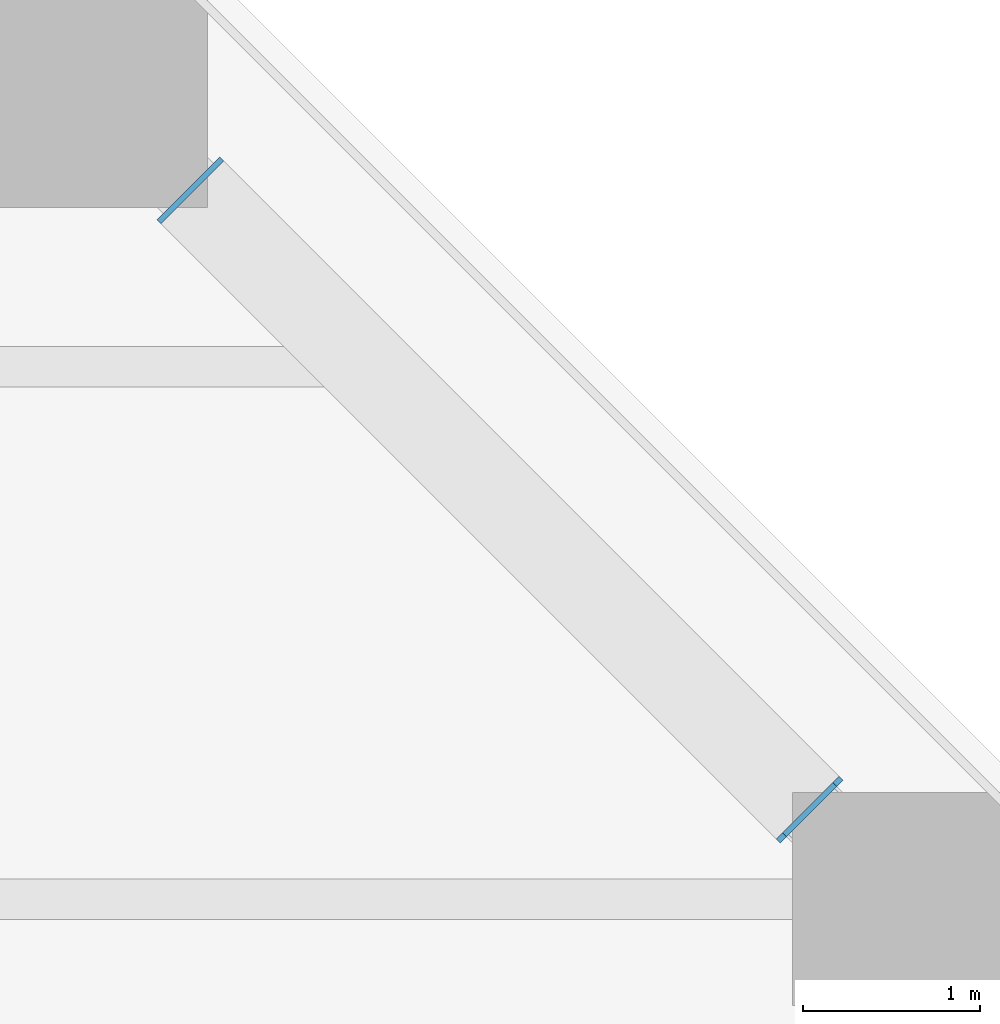
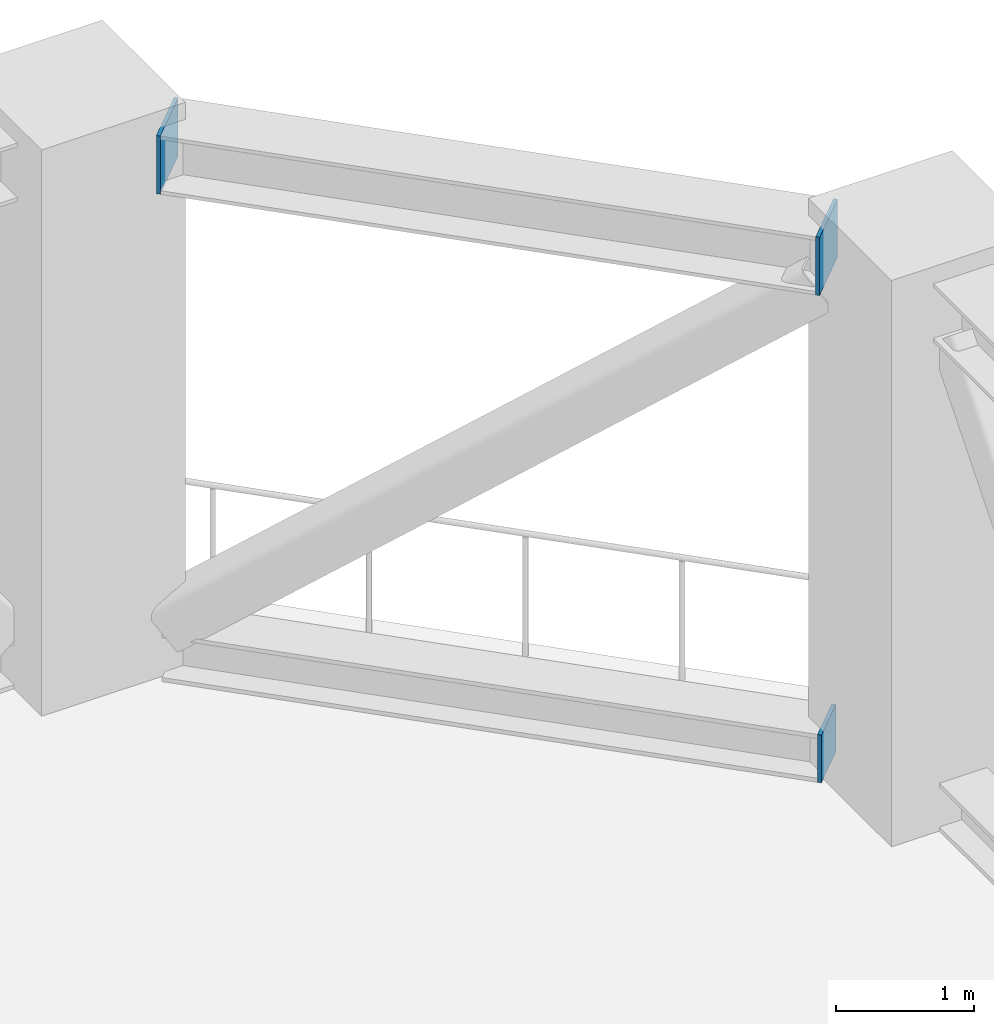
# One storey, part 13 of 16: 3 discrete accessories.
"""IFC4 building model written with IfcOpenShell, lengths in metres."""

from ifc_helpers import new_model, si_unit, direction, frame, origin, origin_2d, place, context, subcontext, project, spatial, rectangle, extrude, material, element, save


model = new_model("IFC4")

# Units and contexts
model_context = context("Model", 3, precision=1e-05, world=origin(), true_north=direction((0.0, 1.0)))
body_context = subcontext(model_context, "Body", "Model", "MODEL_VIEW")
ifc_project = project(units=[si_unit("LENGTHUNIT", "METRE"), si_unit("AREAUNIT", "SQUARE_METRE"), si_unit("VOLUMEUNIT", "CUBIC_METRE"), si_unit("PLANEANGLEUNIT", "RADIAN"), si_unit("MASSUNIT", "GRAM", prefix="KILO")], contexts=[model_context])

# Site, building, storey
site_placement = place(None, origin())
site = spatial("IfcSite", under=ifc_project, at=site_placement, CompositionType="ELEMENT")
building_placement = place(site_placement, origin())
building = spatial("IfcBuilding", under=site, at=building_placement, Name="Quoin Convention Tower", CompositionType="ELEMENT")
storey_placement = place(building_placement, frame((0.0, 0.0, 69.300048828125)))
storey = spatial("IfcBuildingStorey", under=building, at=storey_placement, Name="L18", CompositionType="ELEMENT", Elevation=69.300048828125)

# Discrete accessories
ifc_material = material(Name="Steel Grade 350", Category="steel")
discrete_accessory_placement = place(storey_placement, frame((75.99560546875, 77.00439453125, 0.0), z_axis=(0.0, 0.0, 1.0), x_axis=(0.707106781187, -0.707106781187, 0.0)))
element("IfcDiscreteAccessory", 1, at=discrete_accessory_placement, inside=storey, material=ifc_material, Name="TRUSS END PLATE TRS-L18-BC-76500_76500-72000_81000 A", ObjectType="Truss end plate", PredefinedType="USERDEFINED", context=body_context, shape_type="SweptSolid", body=[
    extrude(rectangle(XDim=0.030029296875, YDim=0.39990234375, at=origin_2d()), origin(), (0.0, 0.0, 1.0), 0.422119140625),
])
for number, where, z_axis, x_axis, name in (
    (2, (75.99560546875, 77.00439453125, 4.3359375), (0.0, 0.0, 1.0), (0.707106781187, -0.707106781187, 0.0), "TRUSS END PLATE TRS-L18-TC-76500_76500-72000_81000 A"),
    (3, (72.50439453125, 80.49560546875, 4.3359375), (0.0, 0.0, 1.0), (-0.707106781187, 0.707106781187, 0.0), "TRUSS END PLATE TRS-L18-TC-76500_76500-72000_81000 B"),
):
    element("IfcDiscreteAccessory", number, at=place(storey_placement, frame(where, z_axis=z_axis, x_axis=x_axis)), inside=storey, material=ifc_material, Name=name, ObjectType="Truss end plate", PredefinedType="USERDEFINED", context=body_context, shape_type="SweptSolid", body=[
        extrude(rectangle(XDim=0.030029296875, YDim=0.5, at=origin_2d()), origin(), (0.0, 0.0, 1.0), 0.513916015625),
    ])

save(model, "model.ifc")
